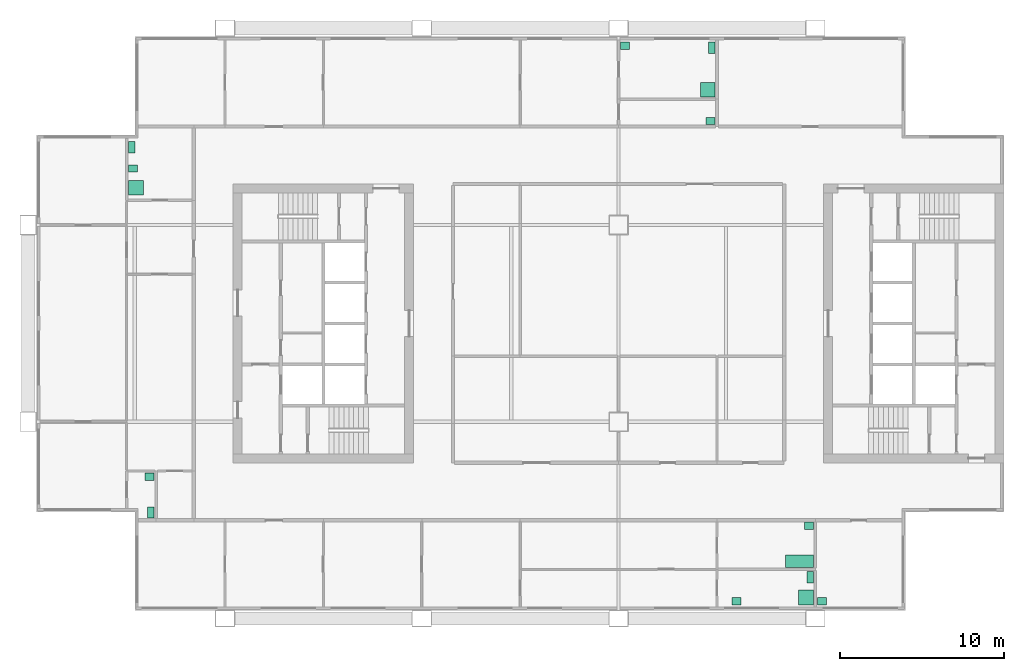
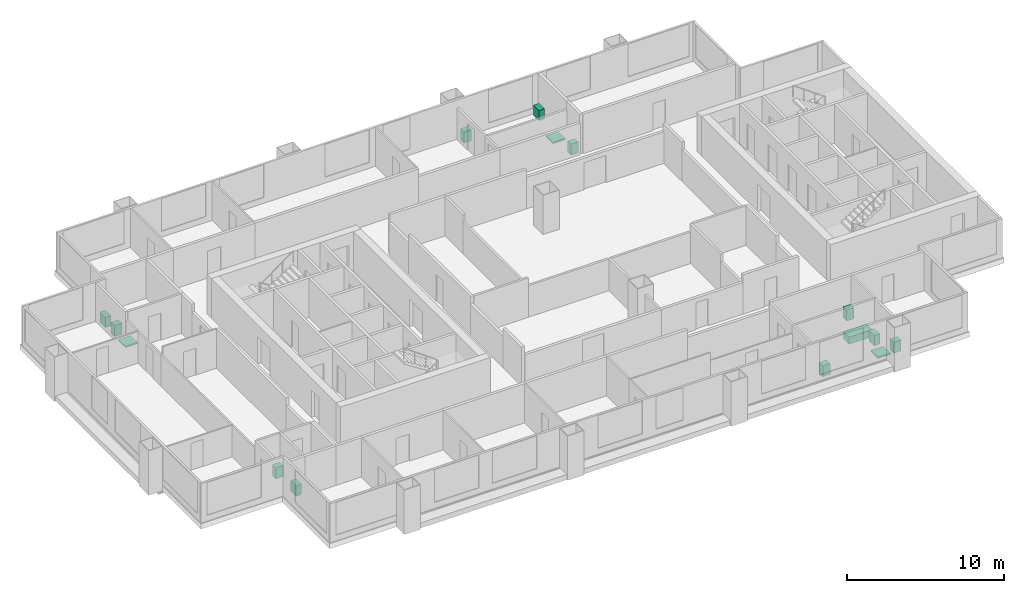
# One storey, part 8 of 8: 15 sanitary terminals.
"""IFC4 building model written with IfcOpenShell, lengths in metres."""

import ifcopenshell
import ifcopenshell.guid

model = None  # the IFC model being written
_history = None  # IfcOwnerHistory: only IFC2X3 demands one
_inside = {}  # id of a spatial element -> (the spatial element, [elements in it])
_under = {}  # id of a project, library or spatial element -> (it, [spatial elements below it])
_declared = {}  # id of a project -> (the project, [libraries it declares])
_typed = {}  # id of a type object -> (the type object, [elements of that type])
_made_of = {}  # id of a material, layer set ... -> (it, [elements and type objects made of it])


def new_model(schema):
    """Start an empty IFC model of exactly this schema.

    Asked for "IFC4X3", IfcOpenShell would pick the latest addendum, in which some entities
    have other attributes; the version numbers below select the first issue.
    IFC2X3 requires an IfcOwnerHistory on every rooted entity: one is made here for all.
    """
    global model, _history
    if schema == "IFC4X3":
        model = ifcopenshell.file(schema_version=(4, 3, 0, 0))
    else:
        model = ifcopenshell.file(schema=schema)
    _inside.clear()
    _under.clear()
    _declared.clear()
    _typed.clear()
    _made_of.clear()
    _history = None
    if model.schema == "IFC2X3":
        org = make("IfcOrganization", Name="unknown")
        user = make(
            "IfcPersonAndOrganization",
            ThePerson=make("IfcPerson", FamilyName="unknown"),
            TheOrganization=org,
        )
        app = make(
            "IfcApplication",
            ApplicationDeveloper=org,
            Version="unknown",
            ApplicationFullName="unknown",
            ApplicationIdentifier="unknown",
        )
        _history = make(
            "IfcOwnerHistory",
            OwningUser=user,
            OwningApplication=app,
            ChangeAction="ADDED",
            CreationDate=0,
        )
    return model


def make(cls, **values):
    """One entity of the class cls with the attributes given. An attribute that is None is left unset."""
    return model.create_entity(
        cls, **{name: value for name, value in values.items() if value is not None}
    )


def rooted(cls, **values):
    """An entity with a GlobalId (a new one), such as an element, a storey or a relation."""
    return make(cls, GlobalId=ifcopenshell.guid.new(), OwnerHistory=_history, **values)


def si_unit(unit_type, name, prefix=None):
    """IfcSIUnit, for example si_unit("LENGTHUNIT", "METRE", prefix="MILLI")."""
    return make("IfcSIUnit", UnitType=unit_type, Prefix=prefix, Name=name)


def assignment(units):
    """IfcUnitAssignment: the units of a project."""
    return None if units is None else make("IfcUnitAssignment", Units=units)


def point(xyz):
    """IfcCartesianPoint."""
    return None if xyz is None else make("IfcCartesianPoint", Coordinates=xyz)


def direction(xyz):
    """IfcDirection."""
    return None if xyz is None else make("IfcDirection", DirectionRatios=xyz)


def frame(location, z_axis=None, x_axis=None):
    """IfcAxis2Placement3D, a coordinate frame: its origin and axes. An axis left out is left unset."""
    return make(
        "IfcAxis2Placement3D",
        Location=point(location),
        Axis=direction(z_axis),
        RefDirection=direction(x_axis),
    )


def frame_2d(location, x_axis=None):
    """IfcAxis2Placement2D, a coordinate frame in the plane: its origin and x axis."""
    return make(
        "IfcAxis2Placement2D", Location=point(location), RefDirection=direction(x_axis)
    )


def origin():
    """The frame at (0, 0, 0) with its axes left unset."""
    return frame((0.0, 0.0, 0.0))


def origin_2d():
    """The frame at (0, 0) in the plane with its x axis left unset."""
    return frame_2d((0.0, 0.0))


def place(relative_to, where):
    """IfcLocalPlacement: puts the frame where relative to a parent placement (None: the world)."""
    return make(
        "IfcLocalPlacement", PlacementRelTo=relative_to, RelativePlacement=where
    )


def context(
    kind, dimensions, precision=None, world=None, true_north=None, identifier=None
):
    """IfcGeometricRepresentationContext, for example the 3D "Model" context."""
    return make(
        "IfcGeometricRepresentationContext",
        ContextIdentifier=identifier,
        ContextType=kind,
        CoordinateSpaceDimension=dimensions,
        Precision=precision,
        WorldCoordinateSystem=world,
        TrueNorth=true_north,
    )


def subcontext(parent, identifier, kind, view, scale=None):
    """IfcGeometricRepresentationSubContext, for example "Body" below "Model"."""
    return make(
        "IfcGeometricRepresentationSubContext",
        ContextIdentifier=identifier,
        ContextType=kind,
        ParentContext=parent,
        TargetScale=scale,
        TargetView=view,
    )


def project(units=None, contexts=None):
    """IfcProject with its units and contexts."""
    return rooted(
        "IfcProject",
        Name="project",
        RepresentationContexts=contexts,
        UnitsInContext=assignment(units),
    )


def spatial(cls, under=None, at=None, **own):
    """A site, building, storey or space (cls), placed at a placement, below another one or the project."""
    s = rooted(cls, ObjectPlacement=at, **own)
    if under is not None:
        _under.setdefault(under.id(), (under, []))[1].append(s)
    return s


def profile(cls, at=None, kind="AREA", **sizes):
    """A parametric profile (cls). Its sizes go by their IFC names, for example OverallWidth=200.0."""
    return make(cls, ProfileType=kind, Position=at, **sizes)


def rectangle(**sizes):
    """IfcRectangleProfileDef."""
    return profile("IfcRectangleProfileDef", **sizes)


def extrude(swept, where, along, depth):
    """IfcExtrudedAreaSolid: the profile swept, set in the frame where, extruded along a direction by depth."""
    return make(
        "IfcExtrudedAreaSolid",
        SweptArea=swept,
        Position=where,
        ExtrudedDirection=direction(along),
        Depth=depth,
    )


def shape(context_of_items, identifier, shape_type, items):
    """IfcShapeRepresentation: the items that make up one representation, for example the "Body"."""
    return make(
        "IfcShapeRepresentation",
        ContextOfItems=context_of_items,
        RepresentationIdentifier=identifier,
        RepresentationType=shape_type,
        Items=items,
    )


def material(Name=None, Category=None):
    """IfcMaterial."""
    return make("IfcMaterial", Name=Name, Category=Category)


def made_of(thing, what):
    """Note that an element or type object is made of a material, layer set ...; save() writes the relation."""
    if what is not None:
        _made_of.setdefault(what.id(), (what, []))[1].append(thing)
    return thing


def type_object(cls, material=None, **own):
    """A type object (cls), such as IfcWallType, which elements share."""
    return made_of(rooted(cls, **own), material)


def element(
    cls,
    number,
    at=None,
    inside=None,
    cuts=None,
    type_object=None,
    material=None,
    context=None,
    identifier="Body",
    shape_type=None,
    held_by="IfcProductDefinitionShape",
    body=None,
    shapes=None,
    **own,
):
    """One element of the class cls, such as IfcWall. Its Tag is "e" and its number.

    at: its placement. inside: the storey or other place that contains it. cuts: it is an
    opening in that element (IfcRelVoidsElement). A single representation is given by context,
    identifier, shape_type and body (its items); several are given by shapes. held_by: the class
    of the entity that holds the representations. save() writes the other relations.
    """
    e = rooted(cls, Tag="e%d" % number, ObjectPlacement=at, **own)
    if body is not None:
        shapes = [shape(context, identifier, shape_type, body)]
    if shapes is not None:
        e.Representation = make(held_by, Representations=shapes)
    if inside is not None:
        _inside.setdefault(inside.id(), (inside, []))[1].append(e)
    if cuts is not None:
        rooted(
            "IfcRelVoidsElement", RelatingBuildingElement=cuts, RelatedOpeningElement=e
        )
    if type_object is not None:
        _typed.setdefault(type_object.id(), (type_object, []))[1].append(e)
    return made_of(e, material)


def aggregate(whole, parts):
    """IfcRelAggregates: a whole, such as a stair, and the parts it consists of."""
    return rooted("IfcRelAggregates", RelatingObject=whole, RelatedObjects=parts)


def save(model, path):
    """Write the relations noted so far, then the file.

    IfcRelAggregates (storeys below a building ...), IfcRelContainedInSpatialStructure (elements
    in a storey), IfcRelDefinesByType, IfcRelAssociatesMaterial and IfcRelDeclares: one each for
    every whole, place, type object, material and project.
    """
    for whole, parts in _under.values():
        aggregate(whole, parts)
    for where, things in _inside.values():
        rooted(
            "IfcRelContainedInSpatialStructure",
            RelatedElements=things,
            RelatingStructure=where,
        )
    for kind, things in _typed.values():
        rooted("IfcRelDefinesByType", RelatedObjects=things, RelatingType=kind)
    for what, things in _made_of.values():
        rooted("IfcRelAssociatesMaterial", RelatedObjects=things, RelatingMaterial=what)
    for by, libraries in _declared.values():
        rooted("IfcRelDeclares", RelatingContext=by, RelatedDefinitions=libraries)
    model.write(path)


model = new_model("IFC4")

# Units and contexts
model_context = context("Model", 3, precision=1e-05, world=origin(), true_north=direction((0.0, 1.0)))
body_context = subcontext(model_context, "Body", "Model", "MODEL_VIEW")
ifc_project = project(units=[si_unit("LENGTHUNIT", "METRE"), si_unit("AREAUNIT", "SQUARE_METRE"), si_unit("VOLUMEUNIT", "CUBIC_METRE"), si_unit("PLANEANGLEUNIT", "RADIAN"), si_unit("MASSUNIT", "GRAM", prefix="KILO")], contexts=[model_context])

# Site, building, storey
site_placement = place(None, origin())
site = spatial("IfcSite", under=ifc_project, at=site_placement, CompositionType="ELEMENT")
building_placement = place(site_placement, origin())
building = spatial("IfcBuilding", under=site, at=building_placement, Name="Kitamizu Gate Tower and Museum", CompositionType="ELEMENT")
storey_placement = place(building_placement, frame((0.0, 0.0, 189.300048828125)))
storey = spatial("IfcBuildingStorey", under=building, at=storey_placement, Name="L50", CompositionType="ELEMENT", Elevation=189.300048828125)

# Sanitary terminals
ifc_material_1 = material(Name="Acrylic")
sanitary_terminal_type_1 = type_object("IfcSanitaryTerminalType", Name="Bath", PredefinedType="BATH", material=ifc_material_1)
sanitary_terminal_placement = place(storey_placement, frame((47.030029296875, 15.4951171875, 0.0009765625), z_axis=(0.0, 0.0, 1.0), x_axis=(1.0, 0.0, 0.0)))
element("IfcSanitaryTerminal", 1, at=sanitary_terminal_placement, inside=storey, type_object=sanitary_terminal_type_1, Name="Bath Bathroom 50A", PredefinedType="BATH", context=body_context, shape_type="SweptSolid", body=[
    extrude(rectangle(XDim=1.699951171875, YDim=0.75, at=origin_2d()), origin(), (0.0, 0.0, 1.0), 0.550048828125),
])
ifc_material_2 = material(Name="Acrylic")
sanitary_terminal_type_2 = type_object("IfcSanitaryTerminalType", Name="Shower tray", PredefinedType="SHOWER", material=ifc_material_2)
for number, where, z_axis, x_axis, name in (
    (2, (47.429931640625, 13.2900390625, 0.0009765625), (0.0, 0.0, 1.0), (1.0, 0.0, 0.0), "Shower tray En-suite bathroom and WC 50A"),
    (3, (41.429931640625, 44.25, 0.0009765625), (0.0, 0.0, 1.0), (1.0, 0.0, 0.0), "Shower tray En-suite bathroom and WC 50B"),
    (4, (6.570068359375, 38.27001953125, 0.0009765625), (0.0, 0.0, 1.0), (1.0, 0.0, 0.0), "Shower tray En-suite bathroom 50D"),
):
    element("IfcSanitaryTerminal", number, at=place(storey_placement, frame(where, z_axis=z_axis, x_axis=x_axis)), inside=storey, type_object=sanitary_terminal_type_2, Name=name, PredefinedType="SHOWER", context=body_context, shape_type="SweptSolid", body=[
        extrude(rectangle(XDim=0.89990234375, YDim=0.89990234375, at=origin_2d()), origin(), (0.0, 0.0, 1.0), 0.10009765625),
    ])
ifc_material_3 = material(Name="Vitreous china")
sanitary_terminal_type_3 = type_object("IfcSanitaryTerminalType", Name="Wash hand basin", PredefinedType="WASHHANDBASIN", material=ifc_material_3)
for number, where, z_axis, x_axis, name in (
    (5, (43.195068359375, 13.06494140625, 0.0009765625), (0.0, 0.0, 1.0), (1.0, 0.0, 0.0), "Wash hand basin En-suite bathroom and WC 50A"),
    (6, (47.60498046875, 17.655029296875, 0.0009765625), (0.0, 0.0, 1.0), (1.0, 0.0, 0.0), "Wash hand basin Bathroom 50A"),
    (7, (48.39501953125, 13.06494140625, 0.0009765625), (0.0, 0.0, 1.0), (1.0, 0.0, 0.0), "Wash hand basin Hobby room 50A"),
    (8, (36.39501953125, 46.93505859375, 0.0009765625), (0.0, 0.0, 1.0), (1.0, 0.0, 0.0), "Wash hand basin En-suite bathroom and WC 50B"),
    (9, (41.60498046875, 42.344970703125, 0.0009765625), (0.0, 0.0, 1.0), (1.0, 0.0, 0.0), "Wash hand basin Wash room 50B"),
    (10, (7.405029296875, 20.655029296875, 0.0009765625), (0.0, 0.0, 1.0), (1.0, 0.0, 0.0), "Wash hand basin WC 50D"),
    (11, (6.39501953125, 39.445068359375, 0.0009765625), (0.0, 0.0, 1.0), (1.0, 0.0, 0.0), "Wash hand basin En-suite bathroom 50D"),
):
    element("IfcSanitaryTerminal", number, at=place(storey_placement, frame(where, z_axis=z_axis, x_axis=x_axis)), inside=storey, type_object=sanitary_terminal_type_3, Name=name, PredefinedType="WASHHANDBASIN", context=body_context, shape_type="SweptSolid", body=[
        extrude(rectangle(XDim=0.550048828125, YDim=0.449951171875, at=origin_2d()), origin(), (0.0, 0.0, 1.0), 0.85009765625),
    ])
ifc_material_4 = material(Name="Vitreous china")
sanitary_terminal_type_4 = type_object("IfcSanitaryTerminalType", Name="Water closet", PredefinedType="TOILETPAN", material=ifc_material_4)
for number, where, z_axis, x_axis, name in (
    (12, (47.679931640625, 14.530029296875, 0.0009765625), (0.0, 0.0, 1.0), (1.0, 0.0, 0.0), "Water closet En-suite bathroom and WC 50A"),
    (13, (41.679931640625, 46.81005859375, 0.0009765625), (0.0, 0.0, 1.0), (1.0, 0.0, 0.0), "Water closet En-suite bathroom and WC 50B"),
    (14, (7.47998046875, 18.469970703125, 0.0009765625), (0.0, 0.0, 1.0), (1.0, 0.0, 0.0), "Water closet WC 50D"),
    (15, (6.320068359375, 40.72998046875, 0.0009765625), (0.0, 0.0, 1.0), (1.0, 0.0, 0.0), "Water closet En-suite bathroom 50D"),
):
    element("IfcSanitaryTerminal", number, at=place(storey_placement, frame(where, z_axis=z_axis, x_axis=x_axis)), inside=storey, type_object=sanitary_terminal_type_4, Name=name, PredefinedType="TOILETPAN", context=body_context, shape_type="SweptSolid", body=[
        extrude(rectangle(XDim=0.39990234375, YDim=0.699951171875, at=origin_2d()), origin(), (0.0, 0.0, 1.0), 0.800048828125),
    ])

save(model, "model.ifc")
